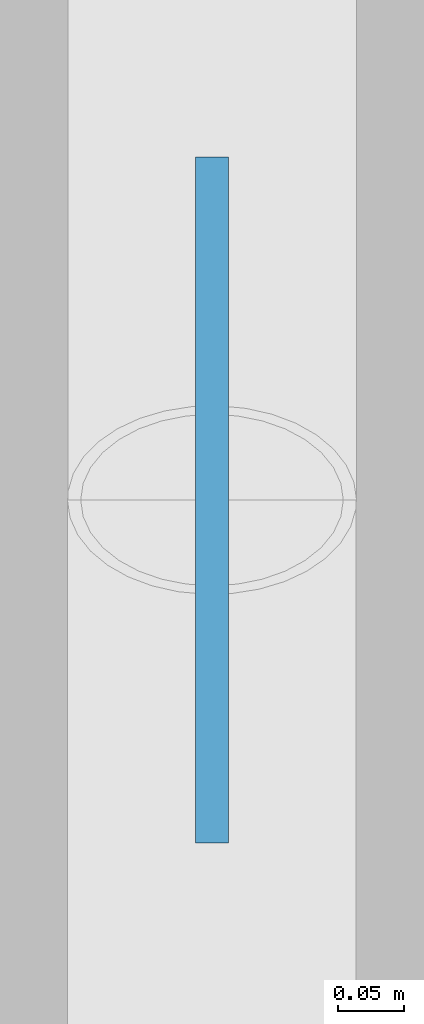
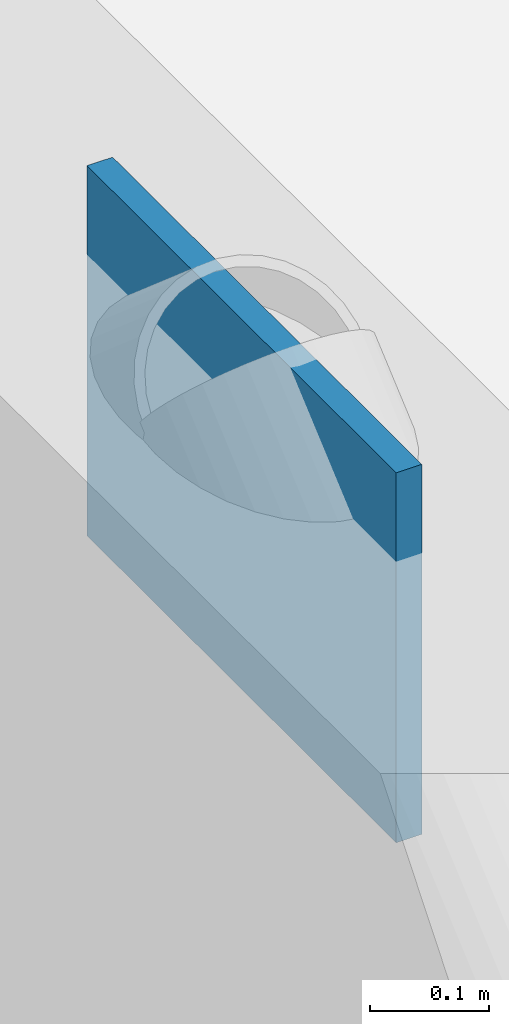
# One storey, part 140 of 163: 1 discrete accessory.
"""IFC4 building model written with IfcOpenShell, lengths in metres."""

import ifcopenshell
import ifcopenshell.guid

model = None  # the IFC model being written
_history = None  # IfcOwnerHistory: only IFC2X3 demands one
_inside = {}  # id of a spatial element -> (the spatial element, [elements in it])
_under = {}  # id of a project, library or spatial element -> (it, [spatial elements below it])
_declared = {}  # id of a project -> (the project, [libraries it declares])
_typed = {}  # id of a type object -> (the type object, [elements of that type])
_made_of = {}  # id of a material, layer set ... -> (it, [elements and type objects made of it])


def new_model(schema):
    """Start an empty IFC model of exactly this schema.

    Asked for "IFC4X3", IfcOpenShell would pick the latest addendum, in which some entities
    have other attributes; the version numbers below select the first issue.
    IFC2X3 requires an IfcOwnerHistory on every rooted entity: one is made here for all.
    """
    global model, _history
    if schema == "IFC4X3":
        model = ifcopenshell.file(schema_version=(4, 3, 0, 0))
    else:
        model = ifcopenshell.file(schema=schema)
    _inside.clear()
    _under.clear()
    _declared.clear()
    _typed.clear()
    _made_of.clear()
    _history = None
    if model.schema == "IFC2X3":
        org = make("IfcOrganization", Name="unknown")
        user = make(
            "IfcPersonAndOrganization",
            ThePerson=make("IfcPerson", FamilyName="unknown"),
            TheOrganization=org,
        )
        app = make(
            "IfcApplication",
            ApplicationDeveloper=org,
            Version="unknown",
            ApplicationFullName="unknown",
            ApplicationIdentifier="unknown",
        )
        _history = make(
            "IfcOwnerHistory",
            OwningUser=user,
            OwningApplication=app,
            ChangeAction="ADDED",
            CreationDate=0,
        )
    return model


def make(cls, **values):
    """One entity of the class cls with the attributes given. An attribute that is None is left unset."""
    return model.create_entity(
        cls, **{name: value for name, value in values.items() if value is not None}
    )


def rooted(cls, **values):
    """An entity with a GlobalId (a new one), such as an element, a storey or a relation."""
    return make(cls, GlobalId=ifcopenshell.guid.new(), OwnerHistory=_history, **values)


def si_unit(unit_type, name, prefix=None):
    """IfcSIUnit, for example si_unit("LENGTHUNIT", "METRE", prefix="MILLI")."""
    return make("IfcSIUnit", UnitType=unit_type, Prefix=prefix, Name=name)


def assignment(units):
    """IfcUnitAssignment: the units of a project."""
    return None if units is None else make("IfcUnitAssignment", Units=units)


def point(xyz):
    """IfcCartesianPoint."""
    return None if xyz is None else make("IfcCartesianPoint", Coordinates=xyz)


def direction(xyz):
    """IfcDirection."""
    return None if xyz is None else make("IfcDirection", DirectionRatios=xyz)


def frame(location, z_axis=None, x_axis=None):
    """IfcAxis2Placement3D, a coordinate frame: its origin and axes. An axis left out is left unset."""
    return make(
        "IfcAxis2Placement3D",
        Location=point(location),
        Axis=direction(z_axis),
        RefDirection=direction(x_axis),
    )


def frame_2d(location, x_axis=None):
    """IfcAxis2Placement2D, a coordinate frame in the plane: its origin and x axis."""
    return make(
        "IfcAxis2Placement2D", Location=point(location), RefDirection=direction(x_axis)
    )


def origin():
    """The frame at (0, 0, 0) with its axes left unset."""
    return frame((0.0, 0.0, 0.0))


def origin_2d():
    """The frame at (0, 0) in the plane with its x axis left unset."""
    return frame_2d((0.0, 0.0))


def place(relative_to, where):
    """IfcLocalPlacement: puts the frame where relative to a parent placement (None: the world)."""
    return make(
        "IfcLocalPlacement", PlacementRelTo=relative_to, RelativePlacement=where
    )


def context(
    kind, dimensions, precision=None, world=None, true_north=None, identifier=None
):
    """IfcGeometricRepresentationContext, for example the 3D "Model" context."""
    return make(
        "IfcGeometricRepresentationContext",
        ContextIdentifier=identifier,
        ContextType=kind,
        CoordinateSpaceDimension=dimensions,
        Precision=precision,
        WorldCoordinateSystem=world,
        TrueNorth=true_north,
    )


def subcontext(parent, identifier, kind, view, scale=None):
    """IfcGeometricRepresentationSubContext, for example "Body" below "Model"."""
    return make(
        "IfcGeometricRepresentationSubContext",
        ContextIdentifier=identifier,
        ContextType=kind,
        ParentContext=parent,
        TargetScale=scale,
        TargetView=view,
    )


def project(units=None, contexts=None):
    """IfcProject with its units and contexts."""
    return rooted(
        "IfcProject",
        Name="project",
        RepresentationContexts=contexts,
        UnitsInContext=assignment(units),
    )


def spatial(cls, under=None, at=None, **own):
    """A site, building, storey or space (cls), placed at a placement, below another one or the project."""
    s = rooted(cls, ObjectPlacement=at, **own)
    if under is not None:
        _under.setdefault(under.id(), (under, []))[1].append(s)
    return s


def profile(cls, at=None, kind="AREA", **sizes):
    """A parametric profile (cls). Its sizes go by their IFC names, for example OverallWidth=200.0."""
    return make(cls, ProfileType=kind, Position=at, **sizes)


def rectangle(**sizes):
    """IfcRectangleProfileDef."""
    return profile("IfcRectangleProfileDef", **sizes)


def extrude(swept, where, along, depth):
    """IfcExtrudedAreaSolid: the profile swept, set in the frame where, extruded along a direction by depth."""
    return make(
        "IfcExtrudedAreaSolid",
        SweptArea=swept,
        Position=where,
        ExtrudedDirection=direction(along),
        Depth=depth,
    )


def shape(context_of_items, identifier, shape_type, items):
    """IfcShapeRepresentation: the items that make up one representation, for example the "Body"."""
    return make(
        "IfcShapeRepresentation",
        ContextOfItems=context_of_items,
        RepresentationIdentifier=identifier,
        RepresentationType=shape_type,
        Items=items,
    )


def material(Name=None, Category=None):
    """IfcMaterial."""
    return make("IfcMaterial", Name=Name, Category=Category)


def made_of(thing, what):
    """Note that an element or type object is made of a material, layer set ...; save() writes the relation."""
    if what is not None:
        _made_of.setdefault(what.id(), (what, []))[1].append(thing)
    return thing


def type_object(cls, material=None, **own):
    """A type object (cls), such as IfcWallType, which elements share."""
    return made_of(rooted(cls, **own), material)


def element(
    cls,
    number,
    at=None,
    inside=None,
    cuts=None,
    type_object=None,
    material=None,
    context=None,
    identifier="Body",
    shape_type=None,
    held_by="IfcProductDefinitionShape",
    body=None,
    shapes=None,
    **own,
):
    """One element of the class cls, such as IfcWall. Its Tag is "e" and its number.

    at: its placement. inside: the storey or other place that contains it. cuts: it is an
    opening in that element (IfcRelVoidsElement). A single representation is given by context,
    identifier, shape_type and body (its items); several are given by shapes. held_by: the class
    of the entity that holds the representations. save() writes the other relations.
    """
    e = rooted(cls, Tag="e%d" % number, ObjectPlacement=at, **own)
    if body is not None:
        shapes = [shape(context, identifier, shape_type, body)]
    if shapes is not None:
        e.Representation = make(held_by, Representations=shapes)
    if inside is not None:
        _inside.setdefault(inside.id(), (inside, []))[1].append(e)
    if cuts is not None:
        rooted(
            "IfcRelVoidsElement", RelatingBuildingElement=cuts, RelatedOpeningElement=e
        )
    if type_object is not None:
        _typed.setdefault(type_object.id(), (type_object, []))[1].append(e)
    return made_of(e, material)


def aggregate(whole, parts):
    """IfcRelAggregates: a whole, such as a stair, and the parts it consists of."""
    return rooted("IfcRelAggregates", RelatingObject=whole, RelatedObjects=parts)


def save(model, path):
    """Write the relations noted so far, then the file.

    IfcRelAggregates (storeys below a building ...), IfcRelContainedInSpatialStructure (elements
    in a storey), IfcRelDefinesByType, IfcRelAssociatesMaterial and IfcRelDeclares: one each for
    every whole, place, type object, material and project.
    """
    for whole, parts in _under.values():
        aggregate(whole, parts)
    for where, things in _inside.values():
        rooted(
            "IfcRelContainedInSpatialStructure",
            RelatedElements=things,
            RelatingStructure=where,
        )
    for kind, things in _typed.values():
        rooted("IfcRelDefinesByType", RelatedObjects=things, RelatingType=kind)
    for what, things in _made_of.values():
        rooted("IfcRelAssociatesMaterial", RelatedObjects=things, RelatingMaterial=what)
    for by, libraries in _declared.values():
        rooted("IfcRelDeclares", RelatingContext=by, RelatedDefinitions=libraries)
    model.write(path)


model = new_model("IFC4")

# Units and contexts
model_context = context("Model", 3, precision=1e-05, world=origin(), true_north=direction((0.0, 1.0)))
body_context = subcontext(model_context, "Body", "Model", "MODEL_VIEW")
ifc_project = project(units=[si_unit("LENGTHUNIT", "METRE"), si_unit("AREAUNIT", "SQUARE_METRE"), si_unit("VOLUMEUNIT", "CUBIC_METRE"), si_unit("PLANEANGLEUNIT", "RADIAN"), si_unit("MASSUNIT", "GRAM", prefix="KILO")], contexts=[model_context])

# Site, building, storey
site_placement = place(None, origin())
site = spatial("IfcSite", under=ifc_project, at=site_placement, CompositionType="ELEMENT")
building_placement = place(site_placement, origin())
building = spatial("IfcBuilding", under=site, at=building_placement, Name="Qalvenar Corner Mobility Hub", CompositionType="ELEMENT")
storey_placement = place(building_placement, frame((0.0, 0.0, 4.800048828125)))
storey = spatial("IfcBuildingStorey", under=building, at=storey_placement, Name="L01", CompositionType="ELEMENT", Elevation=4.800048828125)

# Discrete accessory
ifc_material = material(Name="Steel S355", Category="steel")
discrete_accessory_type = type_object("IfcDiscreteAccessoryType", Name="ACC-GUSSET-PLT", PredefinedType="BRACKET", material=ifc_material)
discrete_accessory_placement = place(storey_placement, frame((0.0, 29.39990234375, 3.330078125), z_axis=(0.0, 0.0, 1.0), x_axis=(0.0, 1.0, 0.0)))
element("IfcDiscreteAccessory", 1, at=discrete_accessory_placement, inside=storey, type_object=discrete_accessory_type, Name="Chevron Apex Gusset Plate GP-A-019", PredefinedType="BRACKET", context=body_context, shape_type="SweptSolid", body=[
    extrude(rectangle(XDim=0.52001953125, YDim=0.02490234375, at=origin_2d()), origin(), (0.0, 0.0, 1.0), 0.3798828125),
])

save(model, "model.ifc")
